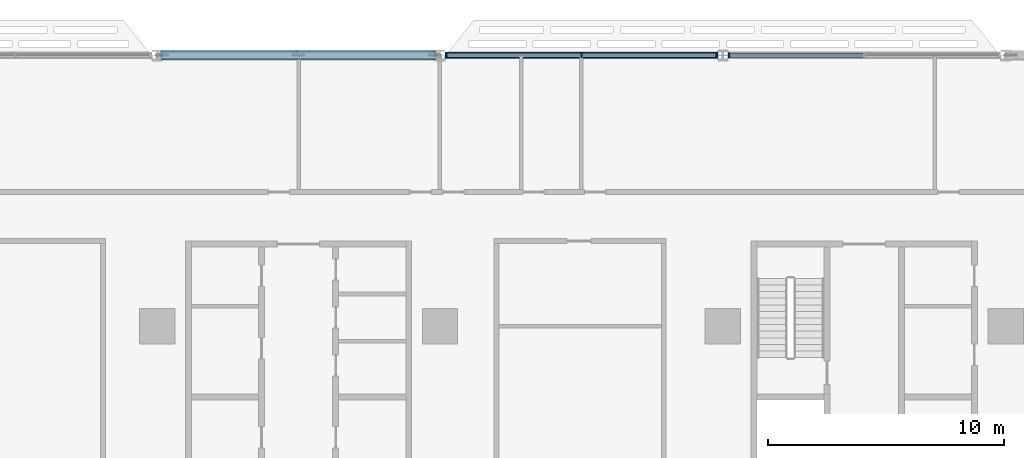
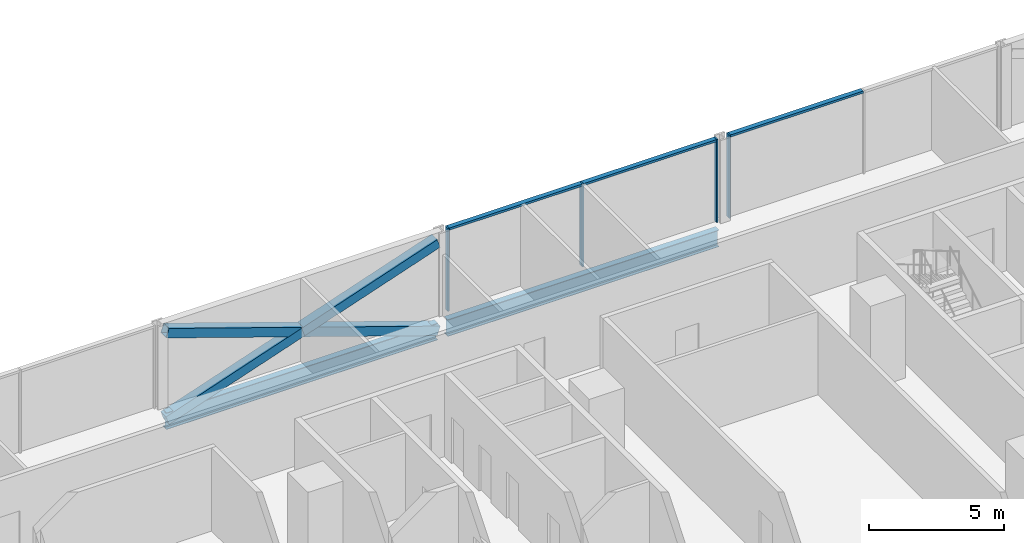
# One storey, part 7 of 29: 10 members, 2 beams, 2 elements without a shape of their own.
"""IFC4 building model written with IfcOpenShell, lengths in metres."""

from ifc_helpers import new_model, si_unit, direction, frame, origin, origin_2d, place, context, subcontext, project, spatial, rectangle, hollow_rectangle, i_section, extrude, material, material_profile, profile_set, type_object, element, aggregate, save


model = new_model("IFC4")

# Units and contexts
model_context = context("Model", 3, precision=1e-05, world=origin(), true_north=direction((0.0, 1.0)))
body_context = subcontext(model_context, "Body", "Model", "MODEL_VIEW")
ifc_project = project(units=[si_unit("LENGTHUNIT", "METRE"), si_unit("AREAUNIT", "SQUARE_METRE"), si_unit("VOLUMEUNIT", "CUBIC_METRE"), si_unit("PLANEANGLEUNIT", "RADIAN"), si_unit("MASSUNIT", "GRAM", prefix="KILO")], contexts=[model_context])

# Site, building, storey
site_placement = place(None, origin())
site = spatial("IfcSite", under=ifc_project, at=site_placement, CompositionType="ELEMENT")
building_placement = place(site_placement, origin())
building = spatial("IfcBuilding", under=site, at=building_placement, Name="Mahtab Terrace Research Tower", CompositionType="ELEMENT")
storey_placement = place(building_placement, frame((0.0, 0.0, 76.10009765625)))
storey = spatial("IfcBuildingStorey", under=building, at=storey_placement, Name="L17", CompositionType="ELEMENT", Elevation=76.10009765625)

# Members
ifc_material_1 = material(Name="Steel ASTM A500 Gr C", Category="steel")
ifc_material_profile_1 = material_profile(ifc_material_1, hollow_rectangle(XDim=0.406494140625, YDim=0.406494140625, WallThickness=0.01904296875, at=origin_2d()), Name="HSS16X16X3/4")
ifc_profile_set_1 = profile_set([ifc_material_profile_1], Name="Steel ASTM A500 Gr C")
member_type_1 = type_object("IfcMemberType", Name="HSS 16x16x3/4 brace XB161634", PredefinedType="BRACE", material=ifc_profile_set_1)
member_1_placement = place(storey_placement, frame((5.787841796875, 23.0, -0.646240234375), z_axis=(-0.946533742382, 0.0, 0.322604827201), x_axis=(0.0, -1.0, 0.0)))
element("IfcMember", 1, at=member_1_placement, inside=storey, type_object=member_type_1, Name="Exoskeleton brace L17 05 a", PredefinedType="BRACE", context=body_context, shape_type="SweptSolid", body=[
    extrude(hollow_rectangle(XDim=0.406494140625, YDim=0.406494140625, WallThickness=0.01904296875, at=origin_2d()), origin(), (0.0, 0.0, 1.0), 12.2294921875),
])
for number, where, z_axis, x_axis, name in (
    (2, (-5.787841796875, 23.0, -0.646240234375), (0.946533742382, 0.0, 0.322604827201), (0.0, 1.0, 0.0), "Exoskeleton brace L17 05 b1"),
    (3, (0.0, 23.0, 1.326416015625), (0.946533742382, 0.0, 0.322604827201), (0.0, 1.0, 0.0), "Exoskeleton brace L17 05 b2"),
):
    element("IfcMember", number, at=place(storey_placement, frame(where, z_axis=z_axis, x_axis=x_axis)), inside=storey, type_object=member_type_1, Name=name, PredefinedType="BRACE", context=body_context, shape_type="SweptSolid", body=[
        extrude(hollow_rectangle(XDim=0.406494140625, YDim=0.406494140625, WallThickness=0.01904296875, at=origin_2d()), origin(), (0.0, 0.0, 1.0), 6.11474609375),
    ])

# Curtain wall, member
ifc_material_2 = material(Name="Laboratory ribbon curtain wall")
curtain_wall_type = type_object("IfcCurtainWallType", Name="Laboratory ribbon curtain wall", PredefinedType="NOTDEFINED", material=ifc_material_2)
curtain_wall_1_placement = place(storey_placement, origin())
curtain_wall_1 = element("IfcCurtainWall", 4, at=curtain_wall_1_placement, inside=storey, type_object=curtain_wall_type, Name="EN.L17.3.5", PredefinedType="NOTDEFINED")
ifc_material_3 = material(Name="Natural anodised aluminium", Category="aluminium")
ifc_material_profile_2 = material_profile(ifc_material_3, rectangle(XDim=0.199951171875, YDim=0.06494140625, at=origin_2d()), Name="MULLION 65x200")
ifc_profile_set_2 = profile_set([ifc_material_profile_2], Name="Natural anodised aluminium")
member_type_2 = type_object("IfcMemberType", Name="Laboratory ribbon curtain wall mullion", PredefinedType="MULLION", material=ifc_profile_set_2)
member_2_placement = place(storey_placement, frame((18.2705078125, 23.0, 0.0), z_axis=(0.0, 0.0, 1.0), x_axis=(0.0, -1.0, 0.0)))
member_2 = element("IfcMember", 5, at=member_2_placement, type_object=member_type_2, Name="CWL-2 mullion 3", PredefinedType="MULLION", context=body_context, shape_type="SweptSolid", body=[
    extrude(rectangle(XDim=0.199951171875, YDim=0.06494140625, at=origin_2d()), origin(), (0.0, 0.0, 1.0), 3.75),
])

# Curtain wall, members
curtain_wall_2_placement = place(storey_placement, origin())
curtain_wall_2 = element("IfcCurtainWall", 6, at=curtain_wall_2_placement, inside=storey, type_object=curtain_wall_type, Name="EN.L17.3.6", PredefinedType="NOTDEFINED")
member_3_placement = place(storey_placement, frame((17.7294921875, 23.0, 0.0), z_axis=(0.0, 0.0, 1.0), x_axis=(0.0, -1.0, 0.0)))
member_3 = element("IfcMember", 7, at=member_3_placement, type_object=member_type_2, Name="CWL-2 mullion 1", PredefinedType="MULLION", context=body_context, shape_type="SweptSolid", body=[
    extrude(rectangle(XDim=0.199951171875, YDim=0.06494140625, at=origin_2d()), origin(), (0.0, 0.0, 1.0), 3.75),
])
member_4_placement = place(storey_placement, frame((12.0, 23.0, 0.0), z_axis=(0.0, 0.0, 1.0), x_axis=(0.0, -1.0, 0.0)))
member_4 = element("IfcMember", 8, at=member_4_placement, type_object=member_type_2, Name="CWL-2 mullion 2", PredefinedType="MULLION", context=body_context, shape_type="SweptSolid", body=[
    extrude(rectangle(XDim=0.199951171875, YDim=0.06494140625, at=origin_2d()), origin(), (0.0, 0.0, 1.0), 3.75),
])
member_5_placement = place(storey_placement, frame((6.2705078125, 23.0, 0.0), z_axis=(0.0, 0.0, 1.0), x_axis=(0.0, -1.0, 0.0)))
member_5 = element("IfcMember", 9, at=member_5_placement, type_object=member_type_2, Name="CWL-2 mullion 3", PredefinedType="MULLION", context=body_context, shape_type="SweptSolid", body=[
    extrude(rectangle(XDim=0.199951171875, YDim=0.06494140625, at=origin_2d()), origin(), (0.0, 0.0, 1.0), 3.75),
])

# Member
ifc_material_profile_3 = material_profile(ifc_material_3, rectangle(XDim=0.199951171875, YDim=0.10009765625, at=origin_2d()), Name="TRANSOM 100x200")
ifc_profile_set_3 = profile_set([ifc_material_profile_3], Name="Natural anodised aluminium")
member_type_3 = type_object("IfcMemberType", Name="Laboratory ribbon curtain wall transom", PredefinedType="USERDEFINED", material=ifc_profile_set_3)
member_6_placement = place(storey_placement, frame((23.967529296875, 23.0, 3.699951171875), z_axis=(-1.0, 0.0, 0.0), x_axis=(0.0, -1.0, 0.0)))
member_6 = element("IfcMember", 10, at=member_6_placement, type_object=member_type_3, Name="CWL-2 transom 2", ObjectType="TRANSOM", PredefinedType="USERDEFINED", context=body_context, shape_type="SweptSolid", body=[
    extrude(rectangle(XDim=0.199951171875, YDim=0.10009765625, at=origin_2d()), origin(), (0.0, 0.0, 1.0), 5.66455078125),
])

aggregate(curtain_wall_1, [member_2, member_6])

member_7_placement = place(storey_placement, frame((17.697021484375, 23.0, 3.699951171875), z_axis=(-1.0, 0.0, 0.0), x_axis=(0.0, -1.0, 0.0)))
member_7 = element("IfcMember", 11, at=member_7_placement, type_object=member_type_3, Name="CWL-2 transom 1", ObjectType="TRANSOM", PredefinedType="USERDEFINED", context=body_context, shape_type="SweptSolid", body=[
    extrude(rectangle(XDim=0.199951171875, YDim=0.10009765625, at=origin_2d()), origin(), (0.0, 0.0, 1.0), 5.66455078125),
])

member_8_placement = place(storey_placement, frame((11.967529296875, 23.0, 3.699951171875), z_axis=(-1.0, 0.0, 0.0), x_axis=(0.0, -1.0, 0.0)))
member_8 = element("IfcMember", 12, at=member_8_placement, type_object=member_type_3, Name="CWL-2 transom 2", ObjectType="TRANSOM", PredefinedType="USERDEFINED", context=body_context, shape_type="SweptSolid", body=[
    extrude(rectangle(XDim=0.199951171875, YDim=0.10009765625, at=origin_2d()), origin(), (0.0, 0.0, 1.0), 5.66455078125),
])

aggregate(curtain_wall_2, [member_3, member_4, member_5, member_7, member_8])

# Beams
ifc_material_4 = material(Name="Steel ASTM A992 Gr 50", Category="steel")
ifc_material_profile_4 = material_profile(ifc_material_4, i_section(OverallWidth=0.2666015625, OverallDepth=0.7568359375, WebThickness=0.013916015625, FlangeThickness=0.019287109375, at=origin_2d()), Name="W30X108")
ifc_profile_set_4 = profile_set([ifc_material_profile_4], Name="Steel ASTM A992 Gr 50")
beam_type = type_object("IfcBeamType", Name="W30x108 beam BS30108", PredefinedType="BEAM", material=ifc_profile_set_4)
for number, where, z_axis, x_axis, name in (
    (13, (17.787841796875, 23.0, -0.718505859375), (-1.0, 0.0, 0.0), (0.0, -1.0, 0.0), "Spandrel beam L17 04"),
    (14, (5.787841796875, 23.0, -0.718505859375), (-1.0, 0.0, 0.0), (0.0, -1.0, 0.0), "Spandrel beam L17 05"),
):
    element("IfcBeam", number, at=place(storey_placement, frame(where, z_axis=z_axis, x_axis=x_axis)), inside=storey, type_object=beam_type, Name=name, PredefinedType="BEAM", context=body_context, shape_type="SweptSolid", body=[
        extrude(i_section(OverallWidth=0.2666015625, OverallDepth=0.7568359375, WebThickness=0.013916015625, FlangeThickness=0.019287109375, at=origin_2d()), origin(), (0.0, 0.0, 1.0), 11.57568359375),
    ])

save(model, "model.ifc")
